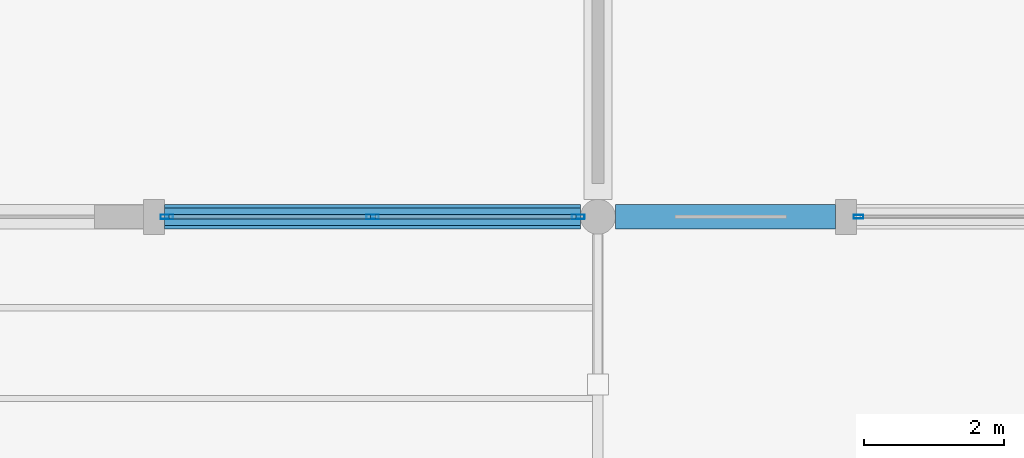
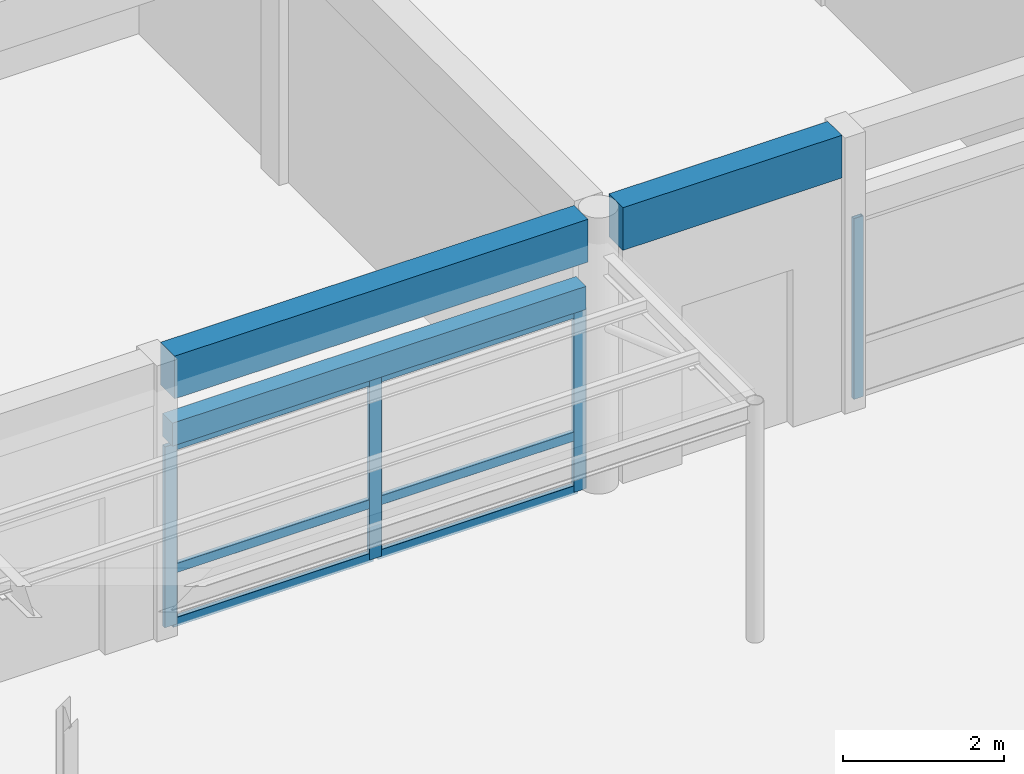
# One storey, part 23 of 75: 10 members, 3 beams, 2 elements without a shape of their own.
"""IFC4 building model written with IfcOpenShell, lengths in metres."""

from ifc_helpers import new_model, si_unit, direction, frame, origin, origin_2d, place, context, subcontext, project, spatial, rectangle, hollow_rectangle, extrude, material, material_profile, profile_set, type_object, element, aggregate, save


model = new_model("IFC4")

# Units and contexts
model_context = context("Model", 3, precision=1e-05, world=origin(), true_north=direction((0.0, 1.0)))
body_context = subcontext(model_context, "Body", "Model", "MODEL_VIEW")
ifc_project = project(units=[si_unit("LENGTHUNIT", "METRE"), si_unit("AREAUNIT", "SQUARE_METRE"), si_unit("VOLUMEUNIT", "CUBIC_METRE"), si_unit("PLANEANGLEUNIT", "RADIAN"), si_unit("MASSUNIT", "GRAM", prefix="KILO")], contexts=[model_context])

# Site, building, storey
site_placement = place(None, origin())
site = spatial("IfcSite", under=ifc_project, at=site_placement, CompositionType="ELEMENT")
building_placement = place(site_placement, origin())
building = spatial("IfcBuilding", under=site, at=building_placement, Name="Kernevlak Ridge Housing Community", CompositionType="ELEMENT")
storey_placement = place(building_placement, origin())
storey = spatial("IfcBuildingStorey", under=building, at=storey_placement, Name="L00", CompositionType="ELEMENT", Elevation=0.0)

# Beams
ifc_material_1 = material(Name="Concrete C35/45", Category="concrete")
ifc_material_profile_1 = material_profile(ifc_material_1, rectangle(XDim=0.35009765625, YDim=0.64990234375, at=origin_2d()), Name="RC 350x650")
ifc_profile_set_1 = profile_set([ifc_material_profile_1], Name="Concrete C35/45")
beam_type_1 = type_object("IfcBeamType", Name="B-02", PredefinedType="BEAM", material=ifc_profile_set_1)
beam_1_placement = place(storey_placement, frame((97.60009765625, 7.800048828125, 3.875), z_axis=(1.0, 0.0, 0.0), x_axis=(0.0, 1.0, 0.0)))
element("IfcBeam", 1, at=beam_1_placement, inside=storey, type_object=beam_type_1, Name="Beam B-02 L00 2050", PredefinedType="BEAM", context=body_context, shape_type="SweptSolid", body=[
    extrude(rectangle(XDim=0.35009765625, YDim=0.64990234375, at=origin_2d()), origin(), (0.0, 0.0, 1.0), 5.949951171875),
])
beam_2_placement = place(storey_placement, frame((104.050048828125, 7.800048828125, 3.875), z_axis=(1.0, 0.0, 0.0), x_axis=(0.0, 1.0, 0.0)))
element("IfcBeam", 2, at=beam_2_placement, inside=storey, type_object=beam_type_1, Name="Beam B-02 L00 2051", PredefinedType="BEAM", context=body_context, shape_type="SweptSolid", body=[
    extrude(rectangle(XDim=0.35009765625, YDim=0.64990234375, at=origin_2d()), origin(), (0.0, 0.0, 1.0), 3.14990234375),
])
ifc_material_profile_2 = material_profile(ifc_material_1, rectangle(XDim=0.25, YDim=0.35009765625, at=origin_2d()), Name="RC 250x350")
ifc_profile_set_2 = profile_set([ifc_material_profile_2], Name="Concrete C35/45")
beam_type_2 = type_object("IfcBeamType", Name="LN-01", PredefinedType="LINTEL", material=ifc_profile_set_2)
beam_3_placement = place(storey_placement, frame((97.60009765625, 7.800048828125, 2.97509765625), z_axis=(1.0, 0.0, 0.0), x_axis=(0.0, 1.0, 0.0)))
element("IfcBeam", 3, at=beam_3_placement, inside=storey, type_object=beam_type_2, Name="Beam LN-01 L00 2463", PredefinedType="LINTEL", context=body_context, shape_type="SweptSolid", body=[
    extrude(rectangle(XDim=0.25, YDim=0.35009765625, at=origin_2d()), origin(), (0.0, 0.0, 1.0), 5.949951171875),
])

# Curtain wall, member
ifc_material_2 = material(Name="Aluminium EN AW-6060 anodised and laminated glass", Category="aluminium")
curtain_wall_type_1 = type_object("IfcCurtainWallType", Name="CW-06", PredefinedType="NOTDEFINED", material=ifc_material_2)
curtain_wall_1_placement = place(storey_placement, origin())
curtain_wall_1 = element("IfcCurtainWall", 4, at=curtain_wall_1_placement, inside=storey, type_object=curtain_wall_type_1, Name="Curtain wall CW-06 CW-L00-174", PredefinedType="NOTDEFINED")
ifc_material_3 = material(Name="Aluminium EN AW-6060 anodised", Category="aluminium")
ifc_material_profile_3 = material_profile(ifc_material_3, hollow_rectangle(XDim=0.054931640625, YDim=0.139892578125, WallThickness=0.00390625, InnerFilletRadius=0.001953125, OuterFilletRadius=0.00390625, at=origin_2d()), Name="ALU 55x140x4")
ifc_profile_set_3 = profile_set([ifc_material_profile_3], Name="Aluminium EN AW-6060 anodised")
member_type_1 = type_object("IfcMemberType", Name="MU-01", PredefinedType="MULLION", material=ifc_profile_set_3)
member_1_placement = place(storey_placement, frame((107.527587890625, 7.800048828125, 0.0), z_axis=(0.0, 0.0, 1.0), x_axis=(0.0, 1.0, 0.0)))
member_1 = element("IfcMember", 5, at=member_1_placement, type_object=member_type_1, Name="CW-06 mullion 1", PredefinedType="MULLION", context=body_context, shape_type="SweptSolid", body=[
    extrude(hollow_rectangle(XDim=0.054931640625, YDim=0.139892578125, WallThickness=0.00390625, InnerFilletRadius=0.001953125, OuterFilletRadius=0.00390625, at=origin_2d()), origin(), (0.0, 0.0, 1.0), 2.75),
])
aggregate(curtain_wall_1, [member_1])

# Curtain wall, members
curtain_wall_type_2 = type_object("IfcCurtainWallType", Name="CW-05", PredefinedType="NOTDEFINED", material=ifc_material_2)
curtain_wall_2_placement = place(storey_placement, origin())
curtain_wall_2 = element("IfcCurtainWall", 6, at=curtain_wall_2_placement, inside=storey, type_object=curtain_wall_type_2, Name="Curtain wall CW-05 CW-L00-173", PredefinedType="NOTDEFINED")
ifc_material_profile_4 = material_profile(ifc_material_3, hollow_rectangle(XDim=0.06494140625, YDim=0.179931640625, WallThickness=0.00439453125, InnerFilletRadius=0.001953125, OuterFilletRadius=0.00439453125, at=origin_2d()), Name="ALU 65x180x4.5")
ifc_profile_set_4 = profile_set([ifc_material_profile_4], Name="Aluminium EN AW-6060 anodised")
member_type_2 = type_object("IfcMemberType", Name="MU-03", PredefinedType="MULLION", material=ifc_profile_set_4)
member_2_placement = place(storey_placement, frame((97.632568359375, 7.800048828125, 0.0), z_axis=(0.0, 0.0, 1.0), x_axis=(0.0, 1.0, 0.0)))
member_2 = element("IfcMember", 7, at=member_2_placement, type_object=member_type_2, Name="CW-05 mullion 1", PredefinedType="MULLION", context=body_context, shape_type="SweptSolid", body=[
    extrude(hollow_rectangle(XDim=0.06494140625, YDim=0.179931640625, WallThickness=0.00439453125, InnerFilletRadius=0.001953125, OuterFilletRadius=0.00439453125, at=origin_2d()), origin(), (0.0, 0.0, 1.0), 2.75),
])
member_3_placement = place(storey_placement, frame((100.574951171875, 7.800048828125, 0.0), z_axis=(0.0, 0.0, 1.0), x_axis=(0.0, 1.0, 0.0)))
member_3 = element("IfcMember", 8, at=member_3_placement, type_object=member_type_2, Name="CW-05 mullion 2", PredefinedType="MULLION", context=body_context, shape_type="SweptSolid", body=[
    extrude(hollow_rectangle(XDim=0.06494140625, YDim=0.179931640625, WallThickness=0.00439453125, InnerFilletRadius=0.001953125, OuterFilletRadius=0.00439453125, at=origin_2d()), origin(), (0.0, 0.0, 1.0), 2.75),
])
member_4_placement = place(storey_placement, frame((103.517578125, 7.800048828125, 0.0), z_axis=(0.0, 0.0, 1.0), x_axis=(0.0, 1.0, 0.0)))
member_4 = element("IfcMember", 9, at=member_4_placement, type_object=member_type_2, Name="CW-05 mullion 3", PredefinedType="MULLION", context=body_context, shape_type="SweptSolid", body=[
    extrude(hollow_rectangle(XDim=0.06494140625, YDim=0.179931640625, WallThickness=0.00439453125, InnerFilletRadius=0.001953125, OuterFilletRadius=0.00439453125, at=origin_2d()), origin(), (0.0, 0.0, 1.0), 2.75),
])
ifc_material_profile_5 = material_profile(ifc_material_3, hollow_rectangle(XDim=0.06494140625, YDim=0.139892578125, WallThickness=0.00390625, InnerFilletRadius=0.001953125, OuterFilletRadius=0.00390625, at=origin_2d()), Name="ALU 65x140x4")
ifc_profile_set_5 = profile_set([ifc_material_profile_5], Name="Aluminium EN AW-6060 anodised")
member_type_3 = type_object("IfcMemberType", Name="TM-03", PredefinedType="USERDEFINED", material=ifc_profile_set_5)
member_5_placement = place(storey_placement, frame((97.6650390625, 7.800048828125, 0.032470703125), z_axis=(1.0, 0.0, 0.0), x_axis=(0.0, 1.0, 0.0)))
member_5 = element("IfcMember", 10, at=member_5_placement, type_object=member_type_3, Name="CW-05 transom 1.1", ObjectType="TRANSOM", PredefinedType="USERDEFINED", context=body_context, shape_type="SweptSolid", body=[
    extrude(hollow_rectangle(XDim=0.06494140625, YDim=0.139892578125, WallThickness=0.00390625, InnerFilletRadius=0.001953125, OuterFilletRadius=0.00390625, at=origin_2d()), origin(), (0.0, 0.0, 1.0), 2.87744140625),
])
member_6_placement = place(storey_placement, frame((97.6650390625, 7.800048828125, 0.85009765625), z_axis=(1.0, 0.0, 0.0), x_axis=(0.0, 1.0, 0.0)))
member_6 = element("IfcMember", 11, at=member_6_placement, type_object=member_type_3, Name="CW-05 transom 1.2", ObjectType="TRANSOM", PredefinedType="USERDEFINED", context=body_context, shape_type="SweptSolid", body=[
    extrude(hollow_rectangle(XDim=0.06494140625, YDim=0.139892578125, WallThickness=0.00390625, InnerFilletRadius=0.001953125, OuterFilletRadius=0.00390625, at=origin_2d()), origin(), (0.0, 0.0, 1.0), 2.87744140625),
])
member_7_placement = place(storey_placement, frame((97.6650390625, 7.800048828125, 2.717529296875), z_axis=(1.0, 0.0, 0.0), x_axis=(0.0, 1.0, 0.0)))
member_7 = element("IfcMember", 12, at=member_7_placement, type_object=member_type_3, Name="CW-05 transom 1.3", ObjectType="TRANSOM", PredefinedType="USERDEFINED", context=body_context, shape_type="SweptSolid", body=[
    extrude(hollow_rectangle(XDim=0.06494140625, YDim=0.139892578125, WallThickness=0.00390625, InnerFilletRadius=0.001953125, OuterFilletRadius=0.00390625, at=origin_2d()), origin(), (0.0, 0.0, 1.0), 2.87744140625),
])
member_8_placement = place(storey_placement, frame((100.607421875, 7.800048828125, 0.032470703125), z_axis=(1.0, 0.0, 0.0), x_axis=(0.0, 1.0, 0.0)))
member_8 = element("IfcMember", 13, at=member_8_placement, type_object=member_type_3, Name="CW-05 transom 2.1", ObjectType="TRANSOM", PredefinedType="USERDEFINED", context=body_context, shape_type="SweptSolid", body=[
    extrude(hollow_rectangle(XDim=0.06494140625, YDim=0.139892578125, WallThickness=0.00390625, InnerFilletRadius=0.001953125, OuterFilletRadius=0.00390625, at=origin_2d()), origin(), (0.0, 0.0, 1.0), 2.877685546875),
])
member_9_placement = place(storey_placement, frame((100.607421875, 7.800048828125, 0.85009765625), z_axis=(1.0, 0.0, 0.0), x_axis=(0.0, 1.0, 0.0)))
member_9 = element("IfcMember", 14, at=member_9_placement, type_object=member_type_3, Name="CW-05 transom 2.2", ObjectType="TRANSOM", PredefinedType="USERDEFINED", context=body_context, shape_type="SweptSolid", body=[
    extrude(hollow_rectangle(XDim=0.06494140625, YDim=0.139892578125, WallThickness=0.00390625, InnerFilletRadius=0.001953125, OuterFilletRadius=0.00390625, at=origin_2d()), origin(), (0.0, 0.0, 1.0), 2.877685546875),
])
member_10_placement = place(storey_placement, frame((100.607421875, 7.800048828125, 2.717529296875), z_axis=(1.0, 0.0, 0.0), x_axis=(0.0, 1.0, 0.0)))
member_10 = element("IfcMember", 15, at=member_10_placement, type_object=member_type_3, Name="CW-05 transom 2.3", ObjectType="TRANSOM", PredefinedType="USERDEFINED", context=body_context, shape_type="SweptSolid", body=[
    extrude(hollow_rectangle(XDim=0.06494140625, YDim=0.139892578125, WallThickness=0.00390625, InnerFilletRadius=0.001953125, OuterFilletRadius=0.00390625, at=origin_2d()), origin(), (0.0, 0.0, 1.0), 2.877685546875),
])
aggregate(curtain_wall_2, [member_2, member_3, member_4, member_5, member_6, member_7, member_8, member_9, member_10])

save(model, "model.ifc")
